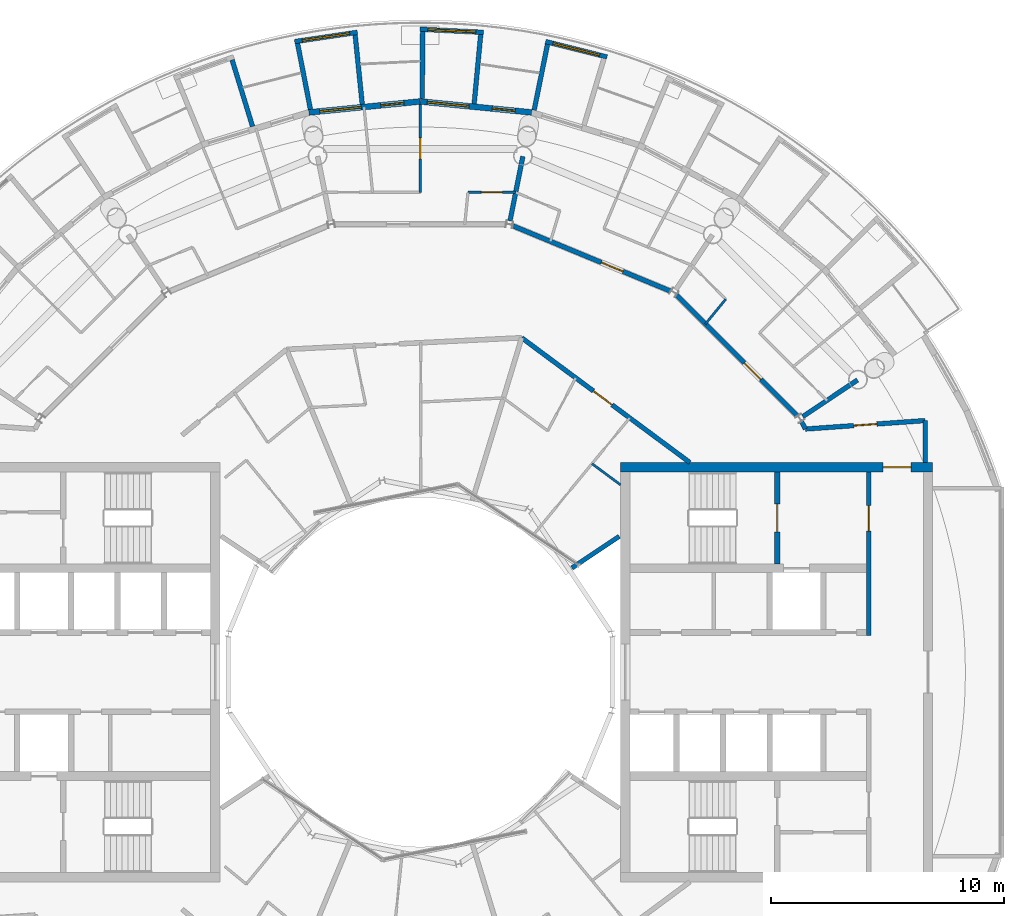
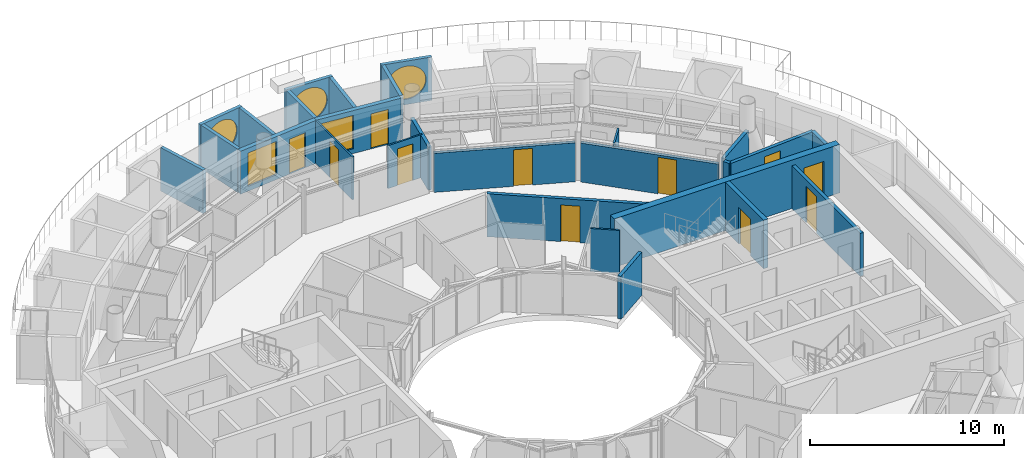
# One storey, part 20 of 25: 27 walls, 11 doors, 5 windows, 16 openings.
"""IFC4 building model written with IfcOpenShell, lengths in metres."""

from ifc_helpers import new_model, si_unit, direction, frame, frame_2d, origin, place, context, subcontext, project, spatial, rectangle, circle, extrude, material, layer, layer_set, type_object, element, fill, save


model = new_model("IFC4")

# Units and contexts
model_context = context("Model", 3, precision=1e-05, world=origin(), true_north=direction((0.0, 1.0)))
body_context = subcontext(model_context, "Body", "Model", "MODEL_VIEW")
ifc_project = project(units=[si_unit("LENGTHUNIT", "METRE"), si_unit("AREAUNIT", "SQUARE_METRE"), si_unit("VOLUMEUNIT", "CUBIC_METRE"), si_unit("PLANEANGLEUNIT", "RADIAN"), si_unit("MASSUNIT", "GRAM", prefix="KILO")], contexts=[model_context])

# Site, building, storey
site_placement = place(None, origin())
site = spatial("IfcSite", under=ifc_project, at=site_placement, CompositionType="ELEMENT")
building_placement = place(site_placement, origin())
building = spatial("IfcBuilding", under=site, at=building_placement, Name="Maasbend Ring Residences", CompositionType="ELEMENT")
storey_placement = place(building_placement, frame((0.0, 0.0, 246.25)))
storey = spatial("IfcBuildingStorey", under=building, at=storey_placement, Name="L71", CompositionType="ELEMENT", Elevation=246.25)

# Wall, opening, door
ifc_material_1 = material(Name="Concrete C50/60", Category="concrete")
ifc_layer_1 = layer(ifc_material_1, 0.25)
ifc_layer_set_1 = layer_set([ifc_layer_1], Name="Concrete C50/60")
wall_type_1 = type_object("IfcWallType", Name="CORE WALL 250 C50/60", PredefinedType="SHEAR", material=ifc_layer_set_1)
wall_1_placement = place(storey_placement, frame((15.324951171875, 4.64990234375, 0.0), z_axis=(0.0, 0.0, 1.0), x_axis=(0.0, 1.0, 0.0)))
wall_1 = element("IfcWall", 1, at=wall_1_placement, inside=storey, type_object=wall_type_1, Name="L71 core E wall STEN", PredefinedType="SHEAR", context=body_context, shape_type="SweptSolid", body=[
    extrude(rectangle(XDim=3.9501953125, YDim=0.25, at=frame_2d((1.97509765625, 0.0))), origin(), (0.0, 0.0, 1.0), 3.050048828125),
])
opening_1_placement = place(wall_1_placement, frame((1.375, 0.0, 0.0)))
opening_1 = element("IfcOpeningElement", 2, at=opening_1_placement, cuts=wall_1, Name="Opening D-E7111", PredefinedType="OPENING", context=body_context, shape_type="SweptSolid", body=[
    extrude(rectangle(XDim=1.199951171875, YDim=2.300048828125, at=frame_2d((0.60009765625, 1.14990234375))), frame((0.0, 0.135009765625, 0.0), z_axis=(0.0, -1.0, 0.0), x_axis=(1.0, 0.0, 0.0)), (0.0, 0.0, 1.0), 0.27001953125),
])
ifc_material_2 = material(Name="Steel, powder coated", Category="steel")
door_type_1 = type_object("IfcDoorType", Name="STAIR DOOR 1200 X 2300 FD60", OperationType="NOTDEFINED", PredefinedType="DOOR", material=ifc_material_2)
door_1_placement = place(opening_1_placement, origin())
door_1 = element("IfcDoor", 3, at=door_1_placement, inside=storey, type_object=door_type_1, Name="Stair door ST-E L71", OperationType="SINGLE_SWING_LEFT", OverallHeight=2.300048828125, OverallWidth=1.199951171875, PredefinedType="DOOR", context=body_context, shape_type="SweptSolid", body=[
    extrude(rectangle(XDim=1.199951171875, YDim=2.300048828125, at=frame_2d((0.60009765625, 1.14990234375))), frame((0.0, 0.02490234375, 0.0), z_axis=(0.0, -1.0, 0.0), x_axis=(1.0, 0.0, 0.0)), (0.0, 0.0, 1.0), 0.050048828125),
])
fill(opening_1, door_1)

ifc_material_3 = material(Name="Concrete C50/60", Category="concrete")
ifc_layer_2 = layer(ifc_material_3, 0.39990234375)
ifc_layer_set_2 = layer_set([ifc_layer_2], Name="Concrete C50/60")
wall_type_2 = type_object("IfcWallType", Name="CORE WALL 400 C50/60", PredefinedType="SHEAR", material=ifc_layer_set_2)
wall_2_placement = place(storey_placement, frame((22.0, 8.800048828125, 0.0), z_axis=(0.0, 0.0, 1.0), x_axis=(-1.0, 0.0, 0.0)))
wall_2 = element("IfcWall", 4, at=wall_2_placement, inside=storey, type_object=wall_type_2, Name="L71 core E wall PN", PredefinedType="SHEAR", context=body_context, shape_type="SweptSolid", body=[
    extrude(rectangle(XDim=13.39990234375, YDim=0.39990234375, at=frame_2d((6.699951171875, 0.0))), origin(), (0.0, 0.0, 1.0), 3.050048828125),
])
opening_2_placement = place(wall_2_placement, frame((0.925048828125, 0.0, 0.0)))
opening_2 = element("IfcOpeningElement", 5, at=opening_2_placement, cuts=wall_2, Name="Opening D-E7115", PredefinedType="OPENING", context=body_context, shape_type="SweptSolid", body=[
    extrude(rectangle(XDim=1.199951171875, YDim=2.300048828125, at=frame_2d((0.60009765625, 1.14990234375))), frame((0.0, 0.2099609375, 0.0), z_axis=(0.0, -1.0, 0.0), x_axis=(1.0, 0.0, 0.0)), (0.0, 0.0, 1.0), 0.419921875),
])
ifc_material_4 = material(Name="Steel, powder coated", Category="steel")
door_type_2 = type_object("IfcDoorType", Name="CORRIDOR DOOR 1200 X 2300 FD30S", OperationType="NOTDEFINED", PredefinedType="DOOR", material=ifc_material_4)
door_2_placement = place(opening_2_placement, origin())
door_2 = element("IfcDoor", 6, at=door_2_placement, inside=storey, type_object=door_type_2, Name="Corridor door L71", OperationType="SINGLE_SWING_RIGHT", OverallHeight=2.300048828125, OverallWidth=1.199951171875, PredefinedType="DOOR", context=body_context, shape_type="SweptSolid", body=[
    extrude(rectangle(XDim=1.199951171875, YDim=2.300048828125, at=frame_2d((0.60009765625, 1.14990234375))), frame((0.0, 0.02490234375, 0.0), z_axis=(0.0, -1.0, 0.0), x_axis=(1.0, 0.0, 0.0)), (0.0, 0.0, 1.0), 0.050048828125),
])
fill(opening_2, door_2)

# Wall
ifc_material_5 = material(Name="Concrete C30/37", Category="concrete")
ifc_layer_3 = layer(ifc_material_5, 0.199951171875)
ifc_layer_set_3 = layer_set([ifc_layer_3], Name="Concrete C30/37")
wall_type_3 = type_object("IfcWallType", Name="CORRIDOR WALL 200 CONCRETE", PredefinedType="PARTITIONING", material=ifc_layer_set_3)
wall_3_placement = place(storey_placement, frame((21.675048828125, 9.0, 0.0), z_axis=(0.0, 0.0, 1.0), x_axis=(0.0, 1.0, 0.0)))
element("IfcWall", 7, at=wall_3_placement, inside=storey, type_object=wall_type_3, Name="U-L71-w002", PredefinedType="PARTITIONING", context=body_context, shape_type="SweptSolid", body=[
    extrude(rectangle(XDim=1.800048828125, YDim=0.199951171875, at=frame_2d((0.89990234375, 0.0))), origin(), (0.0, 0.0, 1.0), 2.699951171875),
])

# Wall, opening, door
wall_4_placement = place(storey_placement, frame((16.534912109375, 10.43701171875, 0.0), z_axis=(0.0, 0.0, 1.0), x_axis=(0.997515141784, 0.070452408845, 0.0)))
wall_4 = element("IfcWall", 8, at=wall_4_placement, inside=storey, type_object=wall_type_3, Name="U-L71-w092", PredefinedType="PARTITIONING", context=body_context, shape_type="SweptSolid", body=[
    extrude(rectangle(XDim=5.15283203125, YDim=0.199951171875, at=frame_2d((2.576416015625, 0.0))), origin(), (0.0, 0.0, 1.0), 2.699951171875),
])
opening_3_placement = place(wall_4_placement, frame((2.075927734375, 0.0, 0.0)))
opening_3 = element("IfcOpeningElement", 9, at=opening_3_placement, cuts=wall_4, Name="Opening D-7169", PredefinedType="OPENING", context=body_context, shape_type="SweptSolid", body=[
    extrude(rectangle(XDim=1.0, YDim=2.300048828125, at=frame_2d((0.5, 1.14990234375))), frame((0.0, 0.10986328125, 0.0), z_axis=(0.0, -1.0, 0.0), x_axis=(1.0, 0.0, 0.0)), (0.0, 0.0, 1.0), 0.219970703125),
])
ifc_material_6 = material(Name="Timber, painted", Category="wood")
door_type_3 = type_object("IfcDoorType", Name="ROOM DOOR 1000 X 2300", OperationType="NOTDEFINED", PredefinedType="DOOR", material=ifc_material_6)
door_3_placement = place(opening_3_placement, origin())
door_3 = element("IfcDoor", 10, at=door_3_placement, inside=storey, type_object=door_type_3, Name="D-7169", OperationType="SINGLE_SWING_LEFT", OverallHeight=2.300048828125, OverallWidth=1.0, PredefinedType="DOOR", context=body_context, shape_type="SweptSolid", body=[
    extrude(rectangle(XDim=1.0, YDim=2.300048828125, at=frame_2d((0.5, 1.14990234375))), frame((0.0, 0.02490234375, 0.0), z_axis=(0.0, -1.0, 0.0), x_axis=(1.0, 0.0, 0.0)), (0.0, 0.0, 1.0), 0.050048828125),
])
fill(opening_3, door_3)

wall_5_placement = place(storey_placement, frame((4.35498046875, 14.35302734375, 0.0), z_axis=(0.0, 0.0, 1.0), x_axis=(0.80325776554, -0.595631565735, 0.0)))
wall_5 = element("IfcWall", 11, at=wall_5_placement, inside=storey, type_object=wall_type_3, Name="U-L71-w100", PredefinedType="PARTITIONING", context=body_context, shape_type="SweptSolid", body=[
    extrude(rectangle(XDim=8.987060546875, YDim=0.199951171875, at=frame_2d((4.49365234375, 0.0))), origin(), (0.0, 0.0, 1.0), 2.699951171875),
])
opening_4_placement = place(wall_5_placement, frame((3.830078125, 0.0, 0.0)))
opening_4 = element("IfcOpeningElement", 12, at=opening_4_placement, cuts=wall_5, Name="Opening D-7121", PredefinedType="OPENING", context=body_context, shape_type="SweptSolid", body=[
    extrude(rectangle(XDim=1.0, YDim=2.300048828125, at=frame_2d((0.5, 1.14990234375))), frame((0.0, 0.10986328125, 0.0), z_axis=(0.0, -1.0, 0.0), x_axis=(1.0, 0.0, 0.0)), (0.0, 0.0, 1.0), 0.219970703125),
])
ifc_material_7 = material(Name="Timber, fire-rated, painted", Category="wood")
door_type_4 = type_object("IfcDoorType", Name="FLAT ENTRANCE DOOR 1000 X 2300 FIRE-RATED", OperationType="NOTDEFINED", PredefinedType="DOOR", material=ifc_material_7)
door_4_placement = place(opening_4_placement, origin())
door_4 = element("IfcDoor", 13, at=door_4_placement, inside=storey, type_object=door_type_4, Name="D-7121", OperationType="SINGLE_SWING_LEFT", OverallHeight=2.300048828125, OverallWidth=1.0, PredefinedType="DOOR", context=body_context, shape_type="SweptSolid", body=[
    extrude(rectangle(XDim=1.0, YDim=2.300048828125, at=frame_2d((0.5, 1.14990234375))), frame((0.0, 0.02490234375, 0.0), z_axis=(0.0, -1.0, 0.0), x_axis=(1.0, 0.0, 0.0)), (0.0, 0.0, 1.0), 0.050048828125),
])
fill(opening_4, door_4)

wall_6_placement = place(storey_placement, frame((3.965087890625, 19.1650390625, 0.0), z_axis=(0.0, 0.0, 1.0), x_axis=(0.923857139404, -0.382737489635, 0.0)))
wall_6 = element("IfcWall", 14, at=wall_6_placement, inside=storey, type_object=wall_type_3, Name="U-L71-w105", PredefinedType="PARTITIONING", context=body_context, shape_type="SweptSolid", body=[
    extrude(rectangle(XDim=7.342041015625, YDim=0.199951171875, at=frame_2d((3.6708984375, 0.0))), origin(), (0.0, 0.0, 1.0), 2.449951171875),
])
opening_5_placement = place(wall_6_placement, frame((4.1259765625, 0.0, 0.0)))
opening_5 = element("IfcOpeningElement", 15, at=opening_5_placement, cuts=wall_6, Name="Opening D-7105", PredefinedType="OPENING", context=body_context, shape_type="SweptSolid", body=[
    extrude(rectangle(XDim=1.0, YDim=2.300048828125, at=frame_2d((0.5, 1.14990234375))), frame((0.0, 0.10986328125, 0.0), z_axis=(0.0, -1.0, 0.0), x_axis=(1.0, 0.0, 0.0)), (0.0, 0.0, 1.0), 0.219970703125),
])
door_5_placement = place(opening_5_placement, origin())
door_5 = element("IfcDoor", 16, at=door_5_placement, inside=storey, type_object=door_type_4, Name="D-7105", OperationType="SINGLE_SWING_RIGHT", OverallHeight=2.300048828125, OverallWidth=1.0, PredefinedType="DOOR", context=body_context, shape_type="SweptSolid", body=[
    extrude(rectangle(XDim=1.0, YDim=2.300048828125, at=frame_2d((0.5, 1.14990234375))), frame((0.0, 0.02490234375, 0.0), z_axis=(0.0, -1.0, 0.0), x_axis=(1.0, 0.0, 0.0)), (0.0, 0.0, 1.0), 0.050048828125),
])
fill(opening_5, door_5)

wall_7_placement = place(storey_placement, frame((10.9970703125, 16.18896484375, 0.0), z_axis=(0.0, 0.0, 1.0), x_axis=(0.707106781187, -0.707106781187, 0.0)))
wall_7 = element("IfcWall", 17, at=wall_7_placement, inside=storey, type_object=wall_type_3, Name="U-L71-w106", PredefinedType="PARTITIONING", context=body_context, shape_type="SweptSolid", body=[
    extrude(rectangle(XDim=7.342529296875, YDim=0.199951171875, at=frame_2d((3.67138671875, 0.0))), origin(), (0.0, 0.0, 1.0), 2.449951171875),
])
opening_6_placement = place(wall_7_placement, frame((4.126953125, 0.0, 0.0)))
opening_6 = element("IfcOpeningElement", 18, at=opening_6_placement, cuts=wall_7, Name="Opening D-7101", PredefinedType="OPENING", context=body_context, shape_type="SweptSolid", body=[
    extrude(rectangle(XDim=1.0, YDim=2.300048828125, at=frame_2d((0.5, 1.14990234375))), frame((0.0, 0.10986328125, 0.0), z_axis=(0.0, -1.0, 0.0), x_axis=(1.0, 0.0, 0.0)), (0.0, 0.0, 1.0), 0.219970703125),
])
door_6_placement = place(opening_6_placement, origin())
door_6 = element("IfcDoor", 19, at=door_6_placement, inside=storey, type_object=door_type_4, Name="D-7101", OperationType="SINGLE_SWING_RIGHT", OverallHeight=2.300048828125, OverallWidth=1.0, PredefinedType="DOOR", context=body_context, shape_type="SweptSolid", body=[
    extrude(rectangle(XDim=1.0, YDim=2.300048828125, at=frame_2d((0.5, 1.14990234375))), frame((0.0, 0.02490234375, 0.0), z_axis=(0.0, -1.0, 0.0), x_axis=(1.0, 0.0, 0.0)), (0.0, 0.0, 1.0), 0.050048828125),
])
fill(opening_6, door_6)

# Wall
wall_8_placement = place(storey_placement, frame((16.366943359375, 10.756103515625, 0.0), z_axis=(0.0, 0.0, 1.0), x_axis=(0.465802239822, -0.884888848035, 0.0)))
element("IfcWall", 20, at=wall_8_placement, inside=storey, type_object=wall_type_3, Name="U-L71-w108", PredefinedType="PARTITIONING", context=body_context, shape_type="SweptSolid", body=[
    extrude(rectangle(XDim=0.360595703125, YDim=0.199951171875, at=frame_2d((0.18017578125, 0.0))), origin(), (0.0, 0.0, 1.0), 2.699951171875),
])

# Wall, opening, window
ifc_material_8 = material(Name="Pale anodised aluminium panel", Category="aluminium")
ifc_layer_4 = layer(ifc_material_8, 0.199951171875)
ifc_layer_set_4 = layer_set([ifc_layer_4], Name="EW-BOX")
wall_type_4 = type_object("IfcWallType", Name="EW-BOX", PredefinedType="SOLIDWALL", material=ifc_layer_set_4)
wall_9_placement = place(storey_placement, frame((8.01708984375, 26.409912109375, -0.030029296875), z_axis=(0.0, 0.0, 1.0), x_axis=(-0.96998382833, 0.243169432246, 0.0)))
wall_9 = element("IfcWall", 21, at=wall_9_placement, inside=storey, type_object=wall_type_4, Name="Box front N08", PredefinedType="SOLIDWALL", context=body_context, shape_type="SweptSolid", body=[
    extrude(rectangle(XDim=2.71875, YDim=0.199951171875, at=frame_2d((1.359375, 0.0))), origin(), (0.0, 0.0, 1.0), 2.72998046875),
])
opening_7_placement = place(wall_9_placement, frame((0.319091796875, 0.0, 0.330078125)))
opening_7 = element("IfcOpeningElement", 22, at=opening_7_placement, cuts=wall_9, Name="Opening W-RD", PredefinedType="OPENING", context=body_context, shape_type="SweptSolid", body=[
    extrude(circle(Radius=1.0400390625, at=frame_2d((1.0400390625, 1.0400390625))), frame((0.0, 0.10986328125, 0.0), z_axis=(0.0, -1.0, 0.0), x_axis=(1.0, 0.0, 0.0)), (0.0, 0.0, 1.0), 0.219970703125),
])
ifc_material_9 = material(Name="Aluminium and clear glass", Category="aluminium")
window_type_1 = type_object("IfcWindowType", Name="W-RD", PartitioningType="SINGLE_PANEL", PredefinedType="WINDOW", material=ifc_material_9)
window_1_placement = place(opening_7_placement, origin())
window_1 = element("IfcWindow", 23, at=window_1_placement, inside=storey, type_object=window_type_1, Name="Round window N08", OverallHeight=2.080078125, OverallWidth=2.080078125, PartitioningType="SINGLE_PANEL", PredefinedType="WINDOW", context=body_context, shape_type="SweptSolid", body=[
    extrude(circle(Radius=1.0400390625, at=frame_2d((1.0400390625, 1.0400390625))), frame((0.0, 0.030029296875, 0.0), z_axis=(0.0, -1.0, 0.0), x_axis=(1.0, 0.0, 0.0)), (0.0, 0.0, 1.0), 0.06005859375),
])
fill(opening_7, window_1)

# Wall
wall_10_placement = place(storey_placement, frame((4.889892578125, 24.126953125, -0.030029296875), z_axis=(0.0, 0.0, 1.0), x_axis=(0.198852683025, 0.980029392648, 0.0)))
element("IfcWall", 24, at=wall_10_placement, inside=storey, type_object=wall_type_4, Name="Box side wall N08 right", PredefinedType="SOLIDWALL", context=body_context, shape_type="SweptSolid", body=[
    extrude(rectangle(XDim=2.881591796875, YDim=0.199951171875, at=frame_2d((1.44091796875, 0.0))), origin(), (0.0, 0.0, 1.0), 2.72998046875),
])

# Wall, opening, window
wall_11_placement = place(storey_placement, frame((2.7099609375, 27.467041015625, -0.030029296875), z_axis=(0.0, 0.0, 1.0), x_axis=(-0.998801130548, 0.048952033826, 0.0)))
wall_11 = element("IfcWall", 25, at=wall_11_placement, inside=storey, type_object=wall_type_4, Name="Box front N10", PredefinedType="SOLIDWALL", context=body_context, shape_type="SweptSolid", body=[
    extrude(rectangle(XDim=2.718017578125, YDim=0.199951171875, at=frame_2d((1.35888671875, 0.0))), origin(), (0.0, 0.0, 1.0), 2.72998046875),
])
opening_8_placement = place(wall_11_placement, frame((0.319091796875, 0.0, 0.330078125)))
opening_8 = element("IfcOpeningElement", 26, at=opening_8_placement, cuts=wall_11, Name="Opening W-RD", PredefinedType="OPENING", context=body_context, shape_type="SweptSolid", body=[
    extrude(circle(Radius=1.0400390625, at=frame_2d((1.0400390625, 1.0400390625))), frame((0.0, 0.10986328125, 0.0), z_axis=(0.0, -1.0, 0.0), x_axis=(1.0, 0.0, 0.0)), (0.0, 0.0, 1.0), 0.219970703125),
])
window_2_placement = place(opening_8_placement, origin())
window_2 = element("IfcWindow", 27, at=window_2_placement, inside=storey, type_object=window_type_1, Name="Round window N10", OverallHeight=2.080078125, OverallWidth=2.080078125, PartitioningType="SINGLE_PANEL", PredefinedType="WINDOW", context=body_context, shape_type="SweptSolid", body=[
    extrude(circle(Radius=1.0400390625, at=frame_2d((1.0400390625, 1.0400390625))), frame((0.0, 0.030029296875, 0.0), z_axis=(0.0, -1.0, 0.0), x_axis=(1.0, 0.0, 0.0)), (0.0, 0.0, 1.0), 0.06005859375),
])
fill(opening_8, window_2)

# Walls
wall_12_placement = place(storey_placement, frame((2.31396484375, 24.39794921875, -0.030029296875), z_axis=(0.0, 0.0, 1.0), x_axis=(0.094235386483, 0.99554994447, 0.0)))
element("IfcWall", 28, at=wall_12_placement, inside=storey, type_object=wall_type_4, Name="Box side wall N10 left", PredefinedType="SOLIDWALL", context=body_context, shape_type="SweptSolid", body=[
    extrude(rectangle(XDim=2.992431640625, YDim=0.199951171875, at=frame_2d((1.49609375, 0.0))), origin(), (0.0, 0.0, 1.0), 2.72998046875),
])
wall_13_placement = place(storey_placement, frame((0.089111328125, 24.616943359375, -0.030029296875), z_axis=(0.0, 0.0, 1.0), x_axis=(0.003811916396, 0.99999273462, 0.0)))
element("IfcWall", 29, at=wall_13_placement, inside=storey, type_object=wall_type_4, Name="Box side wall N10 right", PredefinedType="SOLIDWALL", context=body_context, shape_type="SweptSolid", body=[
    extrude(rectangle(XDim=2.882080078125, YDim=0.199951171875, at=frame_2d((1.44091796875, 0.0))), origin(), (0.0, 0.0, 1.0), 2.72998046875),
])

# Wall, opening, window
wall_14_placement = place(storey_placement, frame((-2.699951171875, 27.468017578125, -0.030029296875), z_axis=(0.0, 0.0, 1.0), x_axis=(-0.989173545099, -0.146750460568, 0.0)))
wall_14 = element("IfcWall", 30, at=wall_14_placement, inside=storey, type_object=wall_type_4, Name="Box front N12", PredefinedType="SOLIDWALL", context=body_context, shape_type="SweptSolid", body=[
    extrude(rectangle(XDim=2.718505859375, YDim=0.199951171875, at=frame_2d((1.359375, 0.0))), origin(), (0.0, 0.0, 1.0), 2.72998046875),
])
opening_9_placement = place(wall_14_placement, frame((0.319091796875, 0.0, 0.330078125)))
opening_9 = element("IfcOpeningElement", 31, at=opening_9_placement, cuts=wall_14, Name="Opening W-RD", PredefinedType="OPENING", context=body_context, shape_type="SweptSolid", body=[
    extrude(circle(Radius=1.0400390625, at=frame_2d((1.0400390625, 1.0400390625))), frame((0.0, 0.10986328125, 0.0), z_axis=(0.0, -1.0, 0.0), x_axis=(1.0, 0.0, 0.0)), (0.0, 0.0, 1.0), 0.219970703125),
])
window_3_placement = place(opening_9_placement, origin())
window_3 = element("IfcWindow", 32, at=window_3_placement, inside=storey, type_object=window_type_1, Name="Round window N12", OverallHeight=2.080078125, OverallWidth=2.080078125, PartitioningType="SINGLE_PANEL", PredefinedType="WINDOW", context=body_context, shape_type="SweptSolid", body=[
    extrude(circle(Radius=1.0400390625, at=frame_2d((1.0400390625, 1.0400390625))), frame((0.0, 0.030029296875, 0.0), z_axis=(0.0, -1.0, 0.0), x_axis=(1.0, 0.0, 0.0)), (0.0, 0.0, 1.0), 0.06005859375),
])
fill(opening_9, window_3)

# Walls
wall_15_placement = place(storey_placement, frame((-2.489990234375, 24.3798828125, -0.030029296875), z_axis=(0.0, 0.0, 1.0), x_axis=(-0.101894312119, 0.994795229762, 0.0)))
element("IfcWall", 33, at=wall_15_placement, inside=storey, type_object=wall_type_4, Name="Box side wall N12 left", PredefinedType="SOLIDWALL", context=body_context, shape_type="SweptSolid", body=[
    extrude(rectangle(XDim=2.99267578125, YDim=0.199951171875, at=frame_2d((1.496337890625, 0.0))), origin(), (0.0, 0.0, 1.0), 2.72998046875),
])
wall_16_placement = place(storey_placement, frame((-4.715087890625, 24.160888671875, -0.030029296875), z_axis=(0.0, 0.0, 1.0), x_axis=(-0.191440729923, 0.981504175705, 0.0)))
element("IfcWall", 34, at=wall_16_placement, inside=storey, type_object=wall_type_4, Name="Box side wall N12 right", PredefinedType="SOLIDWALL", context=body_context, shape_type="SweptSolid", body=[
    extrude(rectangle(XDim=2.88330078125, YDim=0.199951171875, at=frame_2d((1.441650390625, 0.0))), origin(), (0.0, 0.0, 1.0), 2.72998046875),
])
wall_17_placement = place(storey_placement, frame((-7.198974609375, 23.426025390625, -0.030029296875), z_axis=(0.0, 0.0, 1.0), x_axis=(-0.293764720054, 0.95587775853, 0.0)))
element("IfcWall", 35, at=wall_17_placement, inside=storey, type_object=wall_type_4, Name="Box side wall N14 left", PredefinedType="SOLIDWALL", context=body_context, shape_type="SweptSolid", body=[
    extrude(rectangle(XDim=2.991943359375, YDim=0.199951171875, at=frame_2d((1.49609375, 0.0))), origin(), (0.0, 0.0, 1.0), 2.72998046875),
])

# Wall, openings, door, window
ifc_material_10 = material(Name="Aluminium clad insulated panel", Category="aluminium")
ifc_layer_5 = layer(ifc_material_10, 0.25)
ifc_layer_set_5 = layer_set([ifc_layer_5], Name="EW-GL")
wall_type_5 = type_object("IfcWallType", Name="EW-GL", PredefinedType="SOLIDWALL", material=ifc_layer_set_5)
wall_18_placement = place(storey_placement, frame((4.780029296875, 24.029052734375, 0.0), z_axis=(0.0, 0.0, 1.0), x_axis=(-0.995181568754, 0.098049197923, 0.0)))
wall_18 = element("IfcWall", 36, at=wall_18_placement, inside=storey, type_object=wall_type_5, Name="External wall N05", PredefinedType="SOLIDWALL", context=body_context, shape_type="SweptSolid", body=[
    extrude(rectangle(XDim=4.80322265625, YDim=0.25, at=frame_2d((2.401611328125, 0.0))), origin(), (0.0, 0.0, 1.0), 2.699951171875),
])
opening_10_placement = place(wall_18_placement, frame((0.70361328125, 0.0, 0.0)))
opening_10 = element("IfcOpeningElement", 37, at=opening_10_placement, cuts=wall_18, Name="Opening D-LG", PredefinedType="OPENING", context=body_context, shape_type="SweptSolid", body=[
    extrude(rectangle(XDim=1.0, YDim=2.199951171875, at=frame_2d((0.5, 1.10009765625))), frame((0.0, 0.135009765625, 0.0), z_axis=(0.0, -1.0, 0.0), x_axis=(1.0, 0.0, 0.0)), (0.0, 0.0, 1.0), 0.27001953125),
])
opening_11_placement = place(wall_18_placement, frame((2.69921875, 0.0, 0.300048828125)))
opening_11 = element("IfcOpeningElement", 38, at=opening_11_placement, cuts=wall_18, Name="Opening W-BX", PredefinedType="OPENING", context=body_context, shape_type="SweptSolid", body=[
    extrude(rectangle(XDim=1.800048828125, YDim=2.10009765625, at=frame_2d((0.89990234375, 1.050048828125))), frame((0.0, 0.135009765625, 0.0), z_axis=(0.0, -1.0, 0.0), x_axis=(1.0, 0.0, 0.0)), (0.0, 0.0, 1.0), 0.27001953125),
])
ifc_material_11 = material(Name="Aluminium and clear glass", Category="aluminium")
door_type_5 = type_object("IfcDoorType", Name="D-LG", OperationType="SINGLE_SWING_LEFT", PredefinedType="DOOR", material=ifc_material_11)
door_7_placement = place(opening_10_placement, origin())
door_7 = element("IfcDoor", 39, at=door_7_placement, inside=storey, type_object=door_type_5, Name="Loggia door N09", OperationType="SINGLE_SWING_LEFT", OverallHeight=2.199951171875, OverallWidth=1.0, PredefinedType="DOOR", context=body_context, shape_type="SweptSolid", body=[
    extrude(rectangle(XDim=1.0, YDim=2.199951171875, at=frame_2d((0.5, 1.10009765625))), frame((0.0, 0.02490234375, 0.0), z_axis=(0.0, -1.0, 0.0), x_axis=(1.0, 0.0, 0.0)), (0.0, 0.0, 1.0), 0.050048828125),
])
fill(opening_10, door_7)
ifc_material_12 = material(Name="Aluminium and clear glass", Category="aluminium")
window_type_2 = type_object("IfcWindowType", Name="W-BX", PartitioningType="DOUBLE_PANEL_VERTICAL", PredefinedType="WINDOW", material=ifc_material_12)
window_4_placement = place(opening_11_placement, origin())
window_4 = element("IfcWindow", 40, at=window_4_placement, inside=storey, type_object=window_type_2, Name="Window N10 room to box", OverallHeight=2.10009765625, OverallWidth=1.800048828125, PartitioningType="SINGLE_PANEL", PredefinedType="WINDOW", context=body_context, shape_type="SweptSolid", body=[
    extrude(rectangle(XDim=1.800048828125, YDim=2.10009765625, at=frame_2d((0.89990234375, 1.050048828125))), frame((0.0, 0.030029296875, 0.0), z_axis=(0.0, -1.0, 0.0), x_axis=(1.0, 0.0, 0.0)), (0.0, 0.0, 1.0), 0.06005859375),
])
fill(opening_11, window_4)

wall_19_placement = place(storey_placement, frame((0.0, 24.5, 0.0), z_axis=(0.0, 0.0, 1.0), x_axis=(-0.995181568754, -0.098049197923, 0.0)))
wall_19 = element("IfcWall", 41, at=wall_19_placement, inside=storey, type_object=wall_type_5, Name="External wall N06", PredefinedType="SOLIDWALL", context=body_context, shape_type="SweptSolid", body=[
    extrude(rectangle(XDim=4.80322265625, YDim=0.25, at=frame_2d((2.401611328125, 0.0))), origin(), (0.0, 0.0, 1.0), 2.699951171875),
])
opening_12_placement = place(wall_19_placement, frame((0.70361328125, 0.0, 0.0)))
opening_12 = element("IfcOpeningElement", 42, at=opening_12_placement, cuts=wall_19, Name="Opening D-LG", PredefinedType="OPENING", context=body_context, shape_type="SweptSolid", body=[
    extrude(rectangle(XDim=1.0, YDim=2.199951171875, at=frame_2d((0.5, 1.10009765625))), frame((0.0, 0.135009765625, 0.0), z_axis=(0.0, -1.0, 0.0), x_axis=(1.0, 0.0, 0.0)), (0.0, 0.0, 1.0), 0.27001953125),
])
opening_13_placement = place(wall_19_placement, frame((2.54150390625, 0.0, 0.300048828125)))
opening_13 = element("IfcOpeningElement", 43, at=opening_13_placement, cuts=wall_19, Name="Opening W-BX", PredefinedType="OPENING", context=body_context, shape_type="SweptSolid", body=[
    extrude(rectangle(XDim=1.800048828125, YDim=2.10009765625, at=frame_2d((0.89990234375, 1.050048828125))), frame((0.0, 0.135009765625, 0.0), z_axis=(0.0, -1.0, 0.0), x_axis=(1.0, 0.0, 0.0)), (0.0, 0.0, 1.0), 0.27001953125),
])
door_8_placement = place(opening_12_placement, origin())
door_8 = element("IfcDoor", 44, at=door_8_placement, inside=storey, type_object=door_type_5, Name="Loggia door N11", OperationType="SINGLE_SWING_LEFT", OverallHeight=2.199951171875, OverallWidth=1.0, PredefinedType="DOOR", context=body_context, shape_type="SweptSolid", body=[
    extrude(rectangle(XDim=1.0, YDim=2.199951171875, at=frame_2d((0.5, 1.10009765625))), frame((0.0, 0.02490234375, 0.0), z_axis=(0.0, -1.0, 0.0), x_axis=(1.0, 0.0, 0.0)), (0.0, 0.0, 1.0), 0.050048828125),
])
fill(opening_12, door_8)
window_5_placement = place(opening_13_placement, origin())
window_5 = element("IfcWindow", 45, at=window_5_placement, inside=storey, type_object=window_type_2, Name="Window N12 room to box", OverallHeight=2.10009765625, OverallWidth=1.800048828125, PartitioningType="SINGLE_PANEL", PredefinedType="WINDOW", context=body_context, shape_type="SweptSolid", body=[
    extrude(rectangle(XDim=1.800048828125, YDim=2.10009765625, at=frame_2d((0.89990234375, 1.050048828125))), frame((0.0, 0.030029296875, 0.0), z_axis=(0.0, -1.0, 0.0), x_axis=(1.0, 0.0, 0.0)), (0.0, 0.0, 1.0), 0.06005859375),
])
fill(opening_13, window_5)

# Wall, opening, door
ifc_material_13 = material(Name="Gypsum board on steel studs", Category="steel")
ifc_layer_6 = layer(ifc_material_13, 0.10009765625)
ifc_layer_set_6 = layer_set([ifc_layer_6], Name="PARTITION 100 GYPSUM")
wall_type_6 = type_object("IfcWallType", Name="PARTITION 100 GYPSUM", PredefinedType="PARTITIONING", material=ifc_layer_set_6)
wall_20_placement = place(storey_placement, frame((0.0, 20.595947265625, 0.0), z_axis=(0.0, 0.0, 1.0), x_axis=(0.0, 1.0, 0.0)))
wall_20 = element("IfcWall", 46, at=wall_20_placement, inside=storey, type_object=wall_type_6, Name="U-L71-w060", PredefinedType="PARTITIONING", context=body_context, shape_type="SweptSolid", body=[
    extrude(rectangle(XDim=3.779052734375, YDim=0.10009765625, at=frame_2d((1.8896484375, 0.0))), origin(), (0.0, 0.0, 1.0), 2.699951171875),
])
opening_14_placement = place(wall_20_placement, frame((1.43994140625, 0.0, 0.0)))
opening_14 = element("IfcOpeningElement", 47, at=opening_14_placement, cuts=wall_20, Name="Opening D-7111", PredefinedType="OPENING", context=body_context, shape_type="SweptSolid", body=[
    extrude(rectangle(XDim=0.89990234375, YDim=2.300048828125, at=frame_2d((0.449951171875, 1.14990234375))), frame((0.0, 0.06005859375, 0.0), z_axis=(0.0, -1.0, 0.0), x_axis=(1.0, 0.0, 0.0)), (0.0, 0.0, 1.0), 0.1201171875),
])
ifc_material_14 = material(Name="Timber, painted", Category="wood")
door_type_6 = type_object("IfcDoorType", Name="INTERNAL DOOR 900 X 2300", OperationType="NOTDEFINED", PredefinedType="DOOR", material=ifc_material_14)
door_9_placement = place(opening_14_placement, origin())
door_9 = element("IfcDoor", 48, at=door_9_placement, inside=storey, type_object=door_type_6, Name="D-7111", OperationType="SINGLE_SWING_RIGHT", OverallHeight=2.300048828125, OverallWidth=0.89990234375, PredefinedType="DOOR", context=body_context, shape_type="SweptSolid", body=[
    extrude(rectangle(XDim=0.89990234375, YDim=2.300048828125, at=frame_2d((0.449951171875, 1.14990234375))), frame((0.0, 0.02490234375, 0.0), z_axis=(0.0, -1.0, 0.0), x_axis=(1.0, 0.0, 0.0)), (0.0, 0.0, 1.0), 0.050048828125),
])
fill(opening_14, door_9)

# Walls
wall_21_placement = place(storey_placement, frame((12.239990234375, 14.945068359375, 0.0), z_axis=(0.0, 0.0, 1.0), x_axis=(0.633719643525, 0.773562805085, 0.0)))
element("IfcWall", 49, at=wall_21_placement, inside=storey, type_object=wall_type_6, Name="U-L71-w080", PredefinedType="PARTITIONING", context=body_context, shape_type="SweptSolid", body=[
    extrude(rectangle(XDim=1.379150390625, YDim=0.10009765625, at=frame_2d((0.689453125, 0.0))), origin(), (0.0, 0.0, 1.0), 2.699951171875),
])
wall_22_placement = place(storey_placement, frame((7.3740234375, 8.948974609375, 0.0), z_axis=(0.0, 0.0, 1.0), x_axis=(0.80332760487, -0.595537370157, 0.0)))
element("IfcWall", 50, at=wall_22_placement, inside=storey, type_object=wall_type_6, Name="U-L71-w096", PredefinedType="PARTITIONING", context=body_context, shape_type="SweptSolid", body=[
    extrude(rectangle(XDim=1.526123046875, YDim=0.10009765625, at=frame_2d((0.76318359375, 0.0))), origin(), (0.0, 0.0, 1.0), 2.699951171875),
])

# Wall, opening, door
wall_23_placement = place(storey_placement, frame((2.048095703125, 20.595947265625, 0.0), z_axis=(0.0, 0.0, 1.0), x_axis=(1.0, 0.0, 0.0)))
wall_23 = element("IfcWall", 51, at=wall_23_placement, inside=storey, type_object=wall_type_6, Name="U-L71-w114", PredefinedType="PARTITIONING", context=body_context, shape_type="SweptSolid", body=[
    extrude(rectangle(XDim=2.048828125, YDim=0.10009765625, at=frame_2d((1.0244140625, 0.0))), origin(), (0.0, 0.0, 1.0), 2.699951171875),
])
opening_15_placement = place(wall_23_placement, frame((0.574951171875, 0.0, 0.0)))
opening_15 = element("IfcOpeningElement", 52, at=opening_15_placement, cuts=wall_23, Name="Opening D-7110", PredefinedType="OPENING", context=body_context, shape_type="SweptSolid", body=[
    extrude(rectangle(XDim=0.89990234375, YDim=2.300048828125, at=frame_2d((0.449951171875, 1.14990234375))), frame((0.0, 0.06005859375, 0.0), z_axis=(0.0, -1.0, 0.0), x_axis=(1.0, 0.0, 0.0)), (0.0, 0.0, 1.0), 0.1201171875),
])
door_10_placement = place(opening_15_placement, origin())
door_10 = element("IfcDoor", 53, at=door_10_placement, inside=storey, type_object=door_type_6, Name="D-7110", OperationType="SINGLE_SWING_LEFT", OverallHeight=2.300048828125, OverallWidth=0.89990234375, PredefinedType="DOOR", context=body_context, shape_type="SweptSolid", body=[
    extrude(rectangle(XDim=0.89990234375, YDim=2.300048828125, at=frame_2d((0.449951171875, 1.14990234375))), frame((0.0, 0.02490234375, 0.0), z_axis=(0.0, -1.0, 0.0), x_axis=(1.0, 0.0, 0.0)), (0.0, 0.0, 1.0), 0.050048828125),
])
fill(opening_15, door_10)

# Walls
ifc_material_15 = material(Name="Concrete C30/37", Category="concrete")
ifc_layer_7 = layer(ifc_material_15, 0.199951171875)
ifc_layer_set_7 = layer_set([ifc_layer_7], Name="Concrete C30/37")
wall_type_7 = type_object("IfcWallType", Name="PARTY WALL 200 CONCRETE", PredefinedType="PARTITIONING", material=ifc_layer_set_7)
wall_24_placement = place(storey_placement, frame((3.85302734375, 19.3701171875, 0.0), z_axis=(0.0, 0.0, 1.0), x_axis=(0.19518472663, 0.980766497435, 0.0)))
element("IfcWall", 54, at=wall_24_placement, inside=storey, type_object=wall_type_7, Name="U-L71-w067", PredefinedType="PARTITIONING", context=body_context, shape_type="SweptSolid", body=[
    extrude(rectangle(XDim=2.822998046875, YDim=0.199951171875, at=frame_2d((1.41162109375, 0.0))), origin(), (0.0, 0.0, 1.0), 2.699951171875),
])
wall_25_placement = place(storey_placement, frame((16.422119140625, 10.971923828125, 0.0), z_axis=(0.0, 0.0, 1.0), x_axis=(0.83131782921, 0.555797325324, 0.0)))
element("IfcWall", 55, at=wall_25_placement, inside=storey, type_object=wall_type_7, Name="U-L71-w087", PredefinedType="PARTITIONING", context=body_context, shape_type="SweptSolid", body=[
    extrude(rectangle(XDim=2.8232421875, YDim=0.199951171875, at=frame_2d((1.41162109375, 0.0))), origin(), (0.0, 0.0, 1.0), 2.699951171875),
])
wall_26_placement = place(storey_placement, frame((6.512939453125, 4.471923828125, 0.0), z_axis=(0.0, 0.0, 1.0), x_axis=(0.831450132577, 0.555599385382, 0.0)))
element("IfcWall", 56, at=wall_26_placement, inside=storey, type_object=wall_type_7, Name="U-L71-w090", PredefinedType="PARTITIONING", context=body_context, shape_type="SweptSolid", body=[
    extrude(rectangle(XDim=2.442626953125, YDim=0.199951171875, at=frame_2d((1.22119140625, 0.0))), origin(), (0.0, 0.0, 1.0), 2.699951171875),
])

# Wall, opening, door
ifc_material_16 = material(Name="Concrete C30/37", Category="concrete")
ifc_layer_8 = layer(ifc_material_16, 0.199951171875)
ifc_layer_set_8 = layer_set([ifc_layer_8], Name="Concrete C30/37")
wall_type_8 = type_object("IfcWallType", Name="SHAFT WALL 200 EI 120", PredefinedType="SOLIDWALL", material=ifc_layer_set_8)
wall_27_placement = place(storey_placement, frame((19.25, 1.574951171875, 0.0), z_axis=(0.0, 0.0, 1.0), x_axis=(0.0, 1.0, 0.0)))
wall_27 = element("IfcWall", 57, at=wall_27_placement, inside=storey, type_object=wall_type_8, Name="L71 core E wall ENDN", PredefinedType="SOLIDWALL", context=body_context, shape_type="SweptSolid", body=[
    extrude(rectangle(XDim=7.025146484375, YDim=0.199951171875, at=frame_2d((3.5126953125, 0.0))), origin(), (0.0, 0.0, 1.0), 2.699951171875),
])
opening_16_placement = place(wall_27_placement, frame((4.47509765625, 0.0, 0.0)))
opening_16 = element("IfcOpeningElement", 58, at=opening_16_placement, cuts=wall_27, Name="Opening D-E7113", PredefinedType="OPENING", context=body_context, shape_type="SweptSolid", body=[
    extrude(rectangle(XDim=1.10009765625, YDim=2.300048828125, at=frame_2d((0.550048828125, 1.14990234375))), frame((0.0, 0.10986328125, 0.0), z_axis=(0.0, -1.0, 0.0), x_axis=(1.0, 0.0, 0.0)), (0.0, 0.0, 1.0), 0.219970703125),
])
ifc_material_17 = material(Name="Steel, powder coated", Category="steel")
door_type_7 = type_object("IfcDoorType", Name="LOBBY DOOR 1100 X 2300 FD60", OperationType="NOTDEFINED", PredefinedType="DOOR", material=ifc_material_17)
door_11_placement = place(opening_16_placement, origin())
door_11 = element("IfcDoor", 59, at=door_11_placement, inside=storey, type_object=door_type_7, Name="Lobby door L71", OperationType="SINGLE_SWING_LEFT", OverallHeight=2.300048828125, OverallWidth=1.10009765625, PredefinedType="DOOR", context=body_context, shape_type="SweptSolid", body=[
    extrude(rectangle(XDim=1.10009765625, YDim=2.300048828125, at=frame_2d((0.550048828125, 1.14990234375))), frame((0.0, 0.02490234375, 0.0), z_axis=(0.0, -1.0, 0.0), x_axis=(1.0, 0.0, 0.0)), (0.0, 0.0, 1.0), 0.050048828125),
])
fill(opening_16, door_11)

save(model, "model.ifc")
